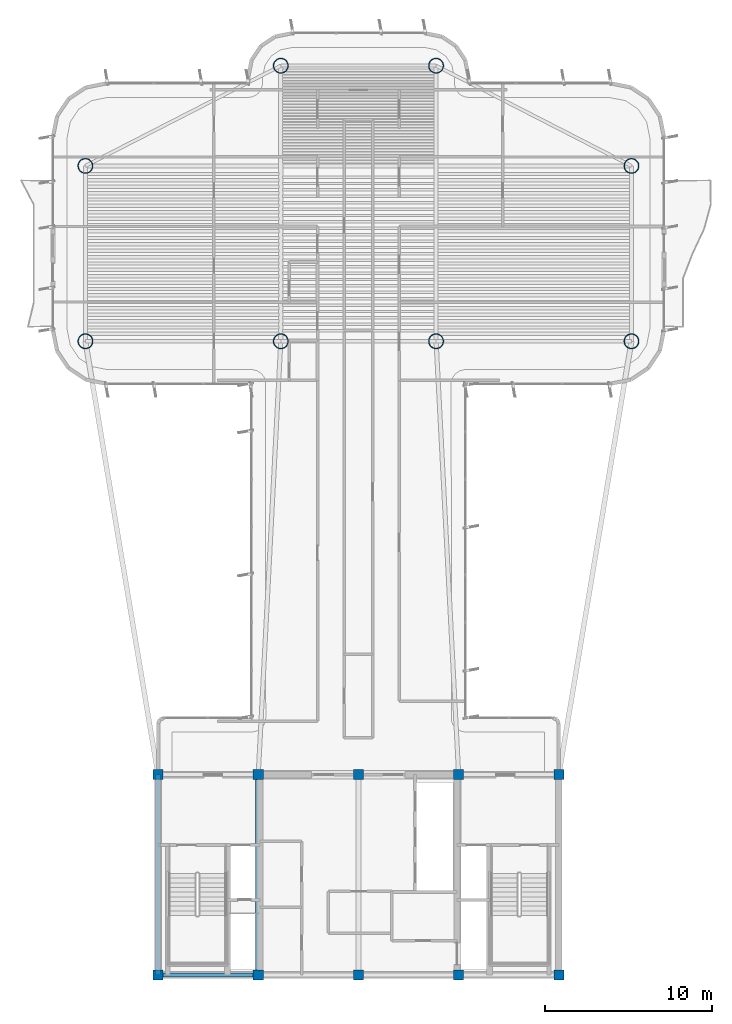
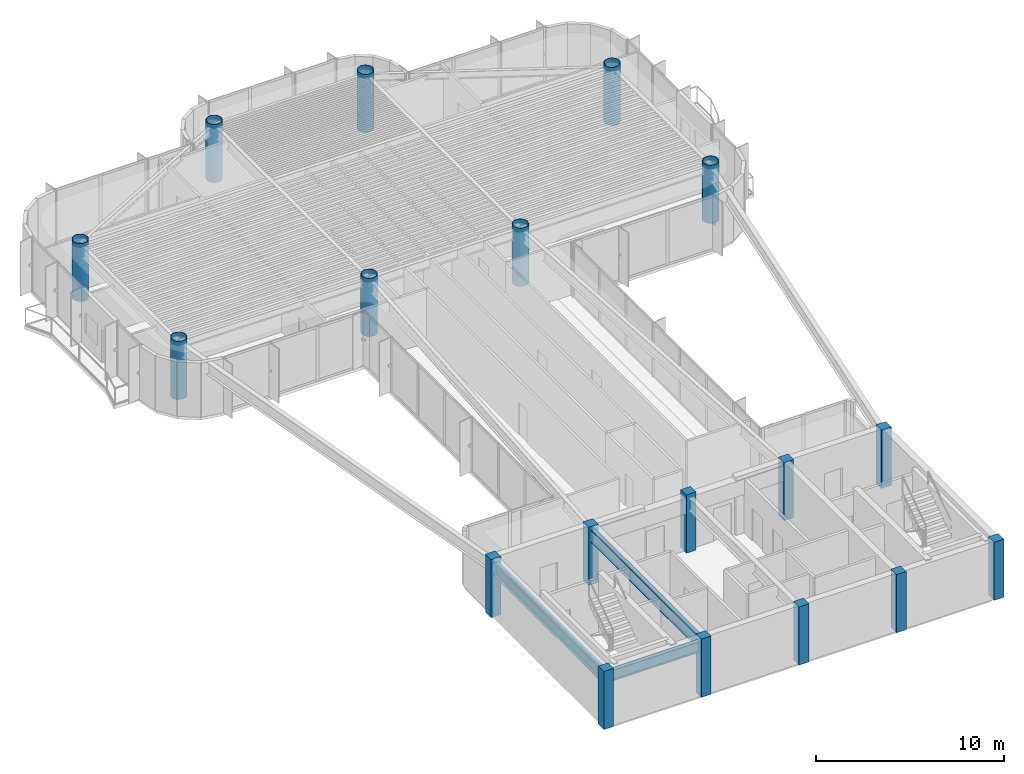
# One storey, part 1 of 15: 18 columns, 3 beams.
"""IFC4 building model written with IfcOpenShell, lengths in metres."""

from ifc_helpers import new_model, si_unit, direction, frame, origin, origin_2d, place, context, subcontext, project, spatial, rectangle, hollow_circle, i_section, extrude, source, transform, mapped, material, material_profile, profile_set, type_object, element, save


model = new_model("IFC4")

# Units and contexts
model_context = context("Model", 3, precision=1e-05, world=origin(), true_north=direction((0.0, 1.0)))
body_context = subcontext(model_context, "Body", "Model", "MODEL_VIEW")
ifc_project = project(units=[si_unit("LENGTHUNIT", "METRE"), si_unit("AREAUNIT", "SQUARE_METRE"), si_unit("VOLUMEUNIT", "CUBIC_METRE"), si_unit("PLANEANGLEUNIT", "RADIAN"), si_unit("MASSUNIT", "GRAM", prefix="KILO")], contexts=[model_context])

# Site, building, storey
site_placement = place(None, origin())
site = spatial("IfcSite", under=ifc_project, at=site_placement, CompositionType="ELEMENT")
building_placement = place(site_placement, origin())
building = spatial("IfcBuilding", under=site, at=building_placement, Name="Brelvock Crest Care Tower", CompositionType="ELEMENT")
storey_placement = place(building_placement, frame((0.0, 0.0, 260.820068359375)))
storey = spatial("IfcBuildingStorey", under=building, at=storey_placement, Name="L66", CompositionType="ELEMENT", Elevation=260.820068359375)

# Columns
ifc_material_1 = material(Name="Concrete S65 (65 MPa)", Category="concrete")
ifc_material_profile_1 = material_profile(ifc_material_1, rectangle(XDim=0.60009765625, YDim=0.60009765625, at=origin_2d()), Name="RC600x600")
ifc_profile_set_1 = profile_set([ifc_material_profile_1], Name="Concrete S65 (65 MPa)")
column_type_1 = type_object("IfcColumnType", Name="COL-RC4", PredefinedType="COLUMN", material=ifc_profile_set_1)
shared_shape_1 = source(origin(), body_context, "Body", "SweptSolid", [
    extrude(rectangle(XDim=0.60009765625, YDim=0.60009765625, at=origin_2d()), origin(), (0.0, 0.0, 1.0), 3.780029296875),
])
for number, where, z_axis, x_axis, name in (
    (1, (24.0, 6.0, 0.0), (0.0, 0.0, 1.0), (1.0, 0.0, 0.0), "L66 Core Column CC-01"),
    (2, (30.0, 6.0, 0.0), (0.0, 0.0, 1.0), (1.0, 0.0, 0.0), "L66 Core Column CC-02"),
    (3, (36.0, 6.0, 0.0), (0.0, 0.0, 1.0), (1.0, 0.0, 0.0), "L66 Core Column CC-03"),
    (4, (42.0, 6.0, 0.0), (0.0, 0.0, 1.0), (1.0, 0.0, 0.0), "L66 Core Column CC-04"),
    (5, (48.0, 6.0, 0.0), (0.0, 0.0, 1.0), (1.0, 0.0, 0.0), "L66 Core Column CC-05"),
    (6, (24.0, 18.0, 0.0), (0.0, 0.0, 1.0), (1.0, 0.0, 0.0), "L66 Core Column CC-06"),
    (7, (30.0, 18.0, 0.0), (0.0, 0.0, 1.0), (1.0, 0.0, 0.0), "L66 Core Column CC-07"),
    (8, (36.0, 18.0, 0.0), (0.0, 0.0, 1.0), (1.0, 0.0, 0.0), "L66 Core Column CC-08"),
    (9, (42.0, 18.0, 0.0), (0.0, 0.0, 1.0), (1.0, 0.0, 0.0), "L66 Core Column CC-09"),
    (10, (48.0, 18.0, 0.0), (0.0, 0.0, 1.0), (1.0, 0.0, 0.0), "L66 Core Column CC-10"),
):
    element("IfcColumn", number, at=place(storey_placement, frame(where, z_axis=z_axis, x_axis=x_axis)), inside=storey, type_object=column_type_1, Name=name, PredefinedType="COLUMN", context=body_context, shape_type="MappedRepresentation", body=[
        mapped(shared_shape_1, transform((0.0, 0.0, 0.0), x_axis=(1.0, 0.0, 0.0), y_axis=(0.0, 1.0, 0.0), z_axis=(0.0, 0.0, 1.0), scale=1.0)),
    ])
ifc_material_2 = material(Name="Steel Grade 350", Category="steel")
ifc_material_profile_2 = material_profile(ifc_material_2, hollow_circle(Radius=0.449951171875, WallThickness=0.031982421875, at=origin_2d()), Name="CFT900x32")
ifc_profile_set_2 = profile_set([ifc_material_profile_2], Name="Steel Grade 350")
column_type_2 = type_object("IfcColumnType", Name="COL-MC4", PredefinedType="COLUMN", material=ifc_profile_set_2)
shared_shape_2 = source(origin(), body_context, "Body", "SweptSolid", [
    extrude(hollow_circle(Radius=0.449951171875, WallThickness=0.031982421875, at=origin_2d()), origin(), (0.0, 0.0, 1.0), 3.780029296875),
])
for number, where, z_axis, x_axis, name in (
    (11, (19.64990234375, 43.949951171875, 0.0), (0.0, 0.0, 1.0), (1.0, 0.0, 0.0), "L66 Tower Column M1"),
    (12, (19.64990234375, 54.449951171875, 0.0), (0.0, 0.0, 1.0), (1.0, 0.0, 0.0), "L66 Tower Column M2"),
    (13, (52.35009765625, 43.949951171875, 0.0), (0.0, 0.0, 1.0), (1.0, 0.0, 0.0), "L66 Tower Column M3"),
    (14, (52.35009765625, 54.449951171875, 0.0), (0.0, 0.0, 1.0), (1.0, 0.0, 0.0), "L66 Tower Column M4"),
    (15, (31.35009765625, 43.949951171875, 0.0), (0.0, 0.0, 1.0), (1.0, 0.0, 0.0), "L66 Tower Column M5"),
    (16, (40.64990234375, 43.949951171875, 0.0), (0.0, 0.0, 1.0), (1.0, 0.0, 0.0), "L66 Tower Column M6"),
    (17, (31.35009765625, 60.449951171875, 0.0), (0.0, 0.0, 1.0), (1.0, 0.0, 0.0), "L66 Tower Column M7"),
    (18, (40.64990234375, 60.449951171875, 0.0), (0.0, 0.0, 1.0), (1.0, 0.0, 0.0), "L66 Tower Column M8"),
):
    element("IfcColumn", number, at=place(storey_placement, frame(where, z_axis=z_axis, x_axis=x_axis)), inside=storey, type_object=column_type_2, Name=name, PredefinedType="COLUMN", context=body_context, shape_type="MappedRepresentation", body=[
        mapped(shared_shape_2, transform((0.0, 0.0, 0.0), x_axis=(1.0, 0.0, 0.0), y_axis=(0.0, 1.0, 0.0), z_axis=(0.0, 0.0, 1.0), scale=1.0)),
    ])

# Beams
ifc_material_profile_3 = material_profile(ifc_material_2, i_section(OverallWidth=0.25, OverallDepth=0.699951171875, WebThickness=0.011962890625, FlangeThickness=0.02001953125, at=origin_2d()), Name="700WB150")
ifc_profile_set_3 = profile_set([ifc_material_profile_3], Name="Steel Grade 350")
beam_type_1 = type_object("IfcBeamType", Name="BM-G4", PredefinedType="BEAM", material=ifc_profile_set_3)
shared_shape_3 = source(origin(), body_context, "Body", "SweptSolid", [
    extrude(i_section(OverallWidth=0.25, OverallDepth=0.699951171875, WebThickness=0.011962890625, FlangeThickness=0.02001953125, at=origin_2d()), origin(), (0.0, 0.0, 1.0), 6.0),
])
beam_placement = place(storey_placement, frame((24.0, 6.0, 3.179931640625), z_axis=(1.0, 0.0, 0.0), x_axis=(0.0, 1.0, 0.0)))
element("IfcBeam", 19, at=beam_placement, inside=storey, type_object=beam_type_1, Name="BM-CORES-L66-1", PredefinedType="BEAM", context=body_context, shape_type="MappedRepresentation", body=[
    mapped(shared_shape_3, transform((0.0, 0.0, 0.0), x_axis=(1.0, 0.0, 0.0), y_axis=(0.0, 1.0, 0.0), z_axis=(0.0, 0.0, 1.0), scale=1.0)),
])
ifc_material_profile_4 = material_profile(ifc_material_2, i_section(OverallWidth=0.300048828125, OverallDepth=0.800048828125, WebThickness=0.013916015625, FlangeThickness=0.02197265625, at=origin_2d()), Name="800WB192")
ifc_profile_set_4 = profile_set([ifc_material_profile_4], Name="Steel Grade 350")
beam_type_2 = type_object("IfcBeamType", Name="BM-G5", PredefinedType="BEAM", material=ifc_profile_set_4)
shared_shape_4 = source(origin(), body_context, "Body", "SweptSolid", [
    extrude(i_section(OverallWidth=0.300048828125, OverallDepth=0.800048828125, WebThickness=0.013916015625, FlangeThickness=0.02197265625, at=origin_2d()), origin(), (0.0, 0.0, 1.0), 12.0),
])
for number, where, z_axis, x_axis, name in (
    (20, (24.0, 6.0, 3.1298828125), (0.0, 1.0, 0.0), (-1.0, 0.0, 0.0), "BM-COREX-L66-1"),
    (21, (30.0, 6.0, 3.1298828125), (0.0, 1.0, 0.0), (-1.0, 0.0, 0.0), "BM-COREX-L66-2"),
):
    element("IfcBeam", number, at=place(storey_placement, frame(where, z_axis=z_axis, x_axis=x_axis)), inside=storey, type_object=beam_type_2, Name=name, PredefinedType="BEAM", context=body_context, shape_type="MappedRepresentation", body=[
        mapped(shared_shape_4, transform((0.0, 0.0, 0.0), x_axis=(1.0, 0.0, 0.0), y_axis=(0.0, 1.0, 0.0), z_axis=(0.0, 0.0, 1.0), scale=1.0)),
    ])

save(model, "model.ifc")
